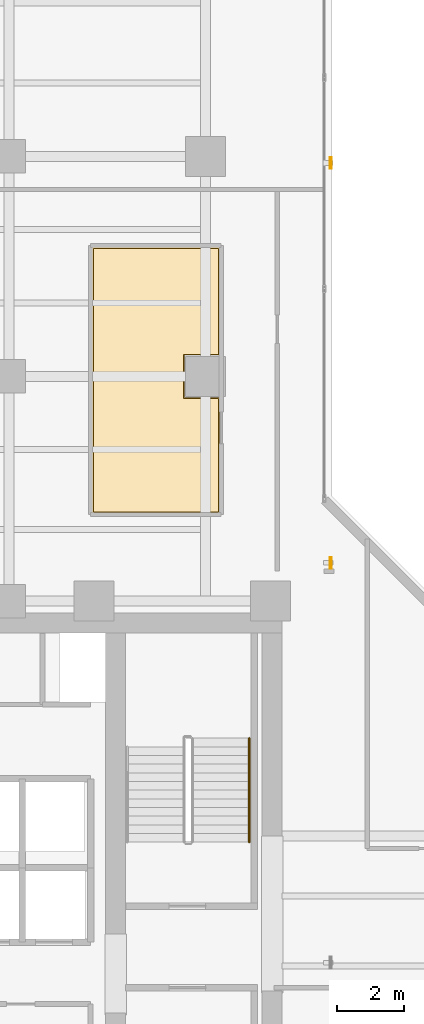
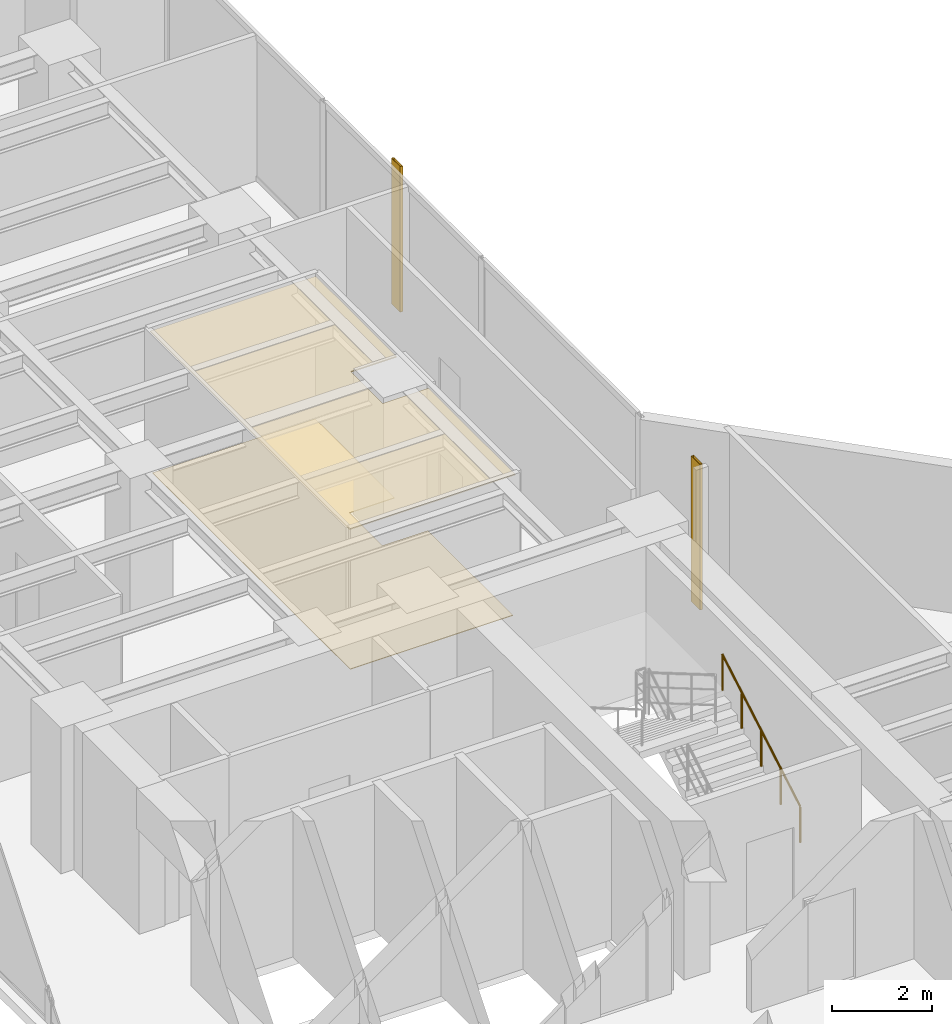
# One storey, part 23 of 23: 2 coverings, 2 shading devices, 1 railing.
"""IFC4 building model written with IfcOpenShell, lengths in metres."""

from ifc_helpers import new_model, si_unit, direction, frame, origin, origin_2d, place, context, subcontext, project, spatial, polyline, hollow_rectangle, circle, outline, extrude, material, layer, layer_set, material_profile, profile_set, type_object, element, save


model = new_model("IFC4")

# Units and contexts
model_context = context("Model", 3, precision=1e-05, world=origin(), true_north=direction((0.0, 1.0)))
body_context = subcontext(model_context, "Body", "Model", "MODEL_VIEW")
ifc_project = project(units=[si_unit("LENGTHUNIT", "METRE"), si_unit("AREAUNIT", "SQUARE_METRE"), si_unit("VOLUMEUNIT", "CUBIC_METRE"), si_unit("PLANEANGLEUNIT", "RADIAN"), si_unit("MASSUNIT", "GRAM", prefix="KILO")], contexts=[model_context])

# Site, building, storey
site_placement = place(None, origin())
site = spatial("IfcSite", under=ifc_project, at=site_placement, CompositionType="ELEMENT")
building_placement = place(site_placement, origin())
building = spatial("IfcBuilding", under=site, at=building_placement, Name="Kolvaren Waterfront Exchange", CompositionType="ELEMENT")
storey_placement = place(building_placement, frame((0.0, 0.0, 188.0)))
storey = spatial("IfcBuildingStorey", under=building, at=storey_placement, Name="L48", CompositionType="ELEMENT", Elevation=188.0)

# Covering
ifc_material_1 = material(Name="Mineral fibre acoustic ceiling tile")
ifc_layer_1 = layer(ifc_material_1, 0.02490234375, Name="Mineral fibre acoustic ceiling tile")
ifc_layer_set_1 = layer_set([ifc_layer_1], Name="Mineral fibre acoustic ceiling tile")
covering_type_1 = type_object("IfcCoveringType", Name="ARC-CEIL-ACOUSTIC-25", PredefinedType="CEILING", material=ifc_layer_set_1)
covering_1_placement = place(storey_placement, frame((0.0, 0.0, 3.445068359375)))
element("IfcCovering", 1, at=covering_1_placement, inside=storey, type_object=covering_type_1, Name="L48 acoustic suspended ceiling 1", PredefinedType="CEILING", context=body_context, shape_type="SweptSolid", body=[
    extrude(outline(polyline([(19.22509765625, 30.56005859375), (18.159912109375, 30.56005859375), (18.159912109375, 31.840087890625), (19.22509765625, 31.840087890625), (19.22509765625, 35.074951171875), (15.39501953125, 35.074951171875), (15.39501953125, 27.094970703125), (19.22509765625, 27.094970703125), (19.22509765625, 30.56005859375)])), origin(), (0.0, 0.0, 1.0), 0.02490234375),
])

# Shading devices
ifc_material_2 = material(Name="Anodised bronze aluminium 6063-T6", Category="aluminium")
ifc_material_profile = material_profile(ifc_material_2, hollow_rectangle(XDim=0.06005859375, YDim=0.35009765625, WallThickness=0.0048828125, at=origin_2d()), Name="BRZ-FIN-350x60x5")
ifc_profile_set = profile_set([ifc_material_profile], Name="Anodised bronze aluminium 6063-T6")
shading_device_type = type_object("IfcShadingDeviceType", Name="ARC-FIN-350", PredefinedType="USERDEFINED", material=ifc_profile_set)
for number, where, z_axis, x_axis, name in (
    (2, (22.56005859375, 25.60009765625, 0.0), (0.0, 0.0, 1.0), (1.0, 0.0, 0.0), "L48 anodised bronze solar shading fin FIN-L48-E2"),
    (3, (22.56005859375, 37.60009765625, 0.0), (0.0, 0.0, 1.0), (1.0, 0.0, 0.0), "L48 anodised bronze solar shading fin FIN-L48-E3"),
):
    element("IfcShadingDevice", number, at=place(storey_placement, frame(where, z_axis=z_axis, x_axis=x_axis)), inside=storey, type_object=shading_device_type, Name=name, ObjectType="SOLAR FIN", PredefinedType="USERDEFINED", context=body_context, shape_type="SweptSolid", body=[
        extrude(hollow_rectangle(XDim=0.06005859375, YDim=0.35009765625, WallThickness=0.0048828125, at=origin_2d()), origin(), (0.0, 0.0, 1.0), 3.56005859375),
    ])

# Covering
ifc_material_3 = material(Name="Slip-resistant porcelain tile")
ifc_layer_2 = layer(ifc_material_3, 0.014892578125, Name="Slip-resistant porcelain tile")
ifc_layer_set_2 = layer_set([ifc_layer_2], Name="Slip-resistant porcelain tile")
covering_type_2 = type_object("IfcCoveringType", Name="ARC-FLR-PORC-15", PredefinedType="FLOORING", material=ifc_layer_set_2)
covering_2_placement = place(storey_placement, origin())
element("IfcCovering", 4, at=covering_2_placement, inside=storey, type_object=covering_type_2, Name="L48 floor finish 1", PredefinedType="FLOORING", context=body_context, shape_type="SweptSolid", body=[
    extrude(outline(polyline([(15.429931640625, 35.0400390625), (15.429931640625, 27.1298828125), (19.18994140625, 27.1298828125), (19.18994140625, 30.5400390625), (18.139892578125, 30.5400390625), (18.139892578125, 31.860107421875), (19.18994140625, 31.860107421875), (19.18994140625, 35.0400390625), (15.429931640625, 35.0400390625)])), origin(), (0.0, 0.0, 1.0), 0.014892578125),
])

# Railing
ifc_material_4 = material(Name="Stainless steel 316", Category="steel")
railing_type = type_object("IfcRailingType", Name="ARC-HANDRAIL-900", PredefinedType="HANDRAIL", material=ifc_material_4)
railing_placement = place(storey_placement, frame((20.110107421875, 17.219970703125, 0.152099609375)))
element("IfcRailing", 5, at=railing_placement, inside=storey, type_object=railing_type, Name="L48 ST2 stair handrail 1", PredefinedType="HANDRAIL", context=body_context, shape_type="SweptSolid", body=[
    extrude(circle(Radius=0.02392578125, at=origin_2d()), frame((0.0, 0.0, 0.8759765625), z_axis=(0.0, 0.86330811405, 0.504677223793), x_axis=(-1.0, 0.0, 0.0)), (0.0, 0.0, 1.0), 3.6142578125),
    extrude(circle(Radius=0.02099609375, at=origin_2d()), origin(), (0.0, 0.0, 1.0), 0.851806640625),
    extrude(circle(Radius=0.02099609375, at=origin_2d()), frame((0.0, 0.780029296875, 0.4560546875)), (0.0, 0.0, 1.0), 0.851806640625),
    extrude(circle(Radius=0.02099609375, at=origin_2d()), frame((0.0, 1.56005859375, 0.912109375)), (0.0, 0.0, 1.0), 0.851806640625),
    extrude(circle(Radius=0.02099609375, at=origin_2d()), frame((0.0, 2.340087890625, 1.367919921875)), (0.0, 0.0, 1.0), 0.851806640625),
    extrude(circle(Radius=0.02099609375, at=origin_2d()), frame((0.0, 3.1201171875, 1.823974609375)), (0.0, 0.0, 1.0), 0.851806640625),
])

save(model, "model.ifc")
